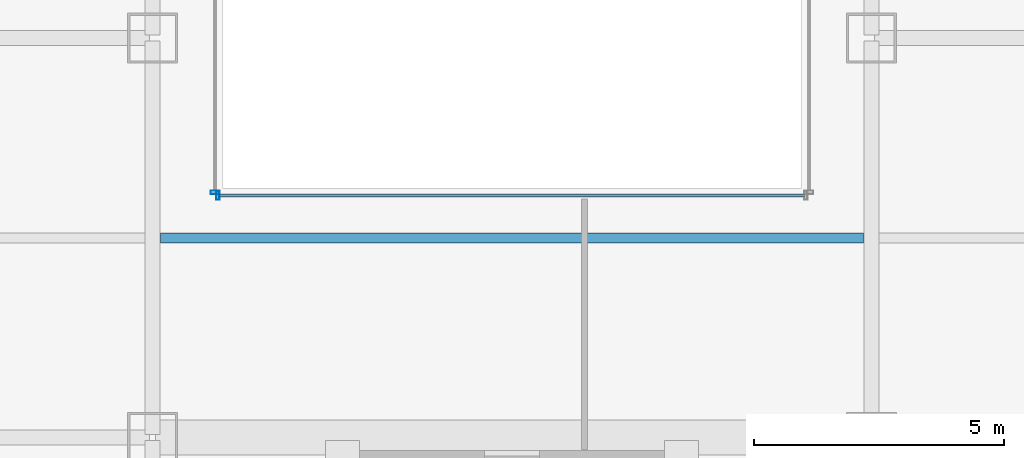
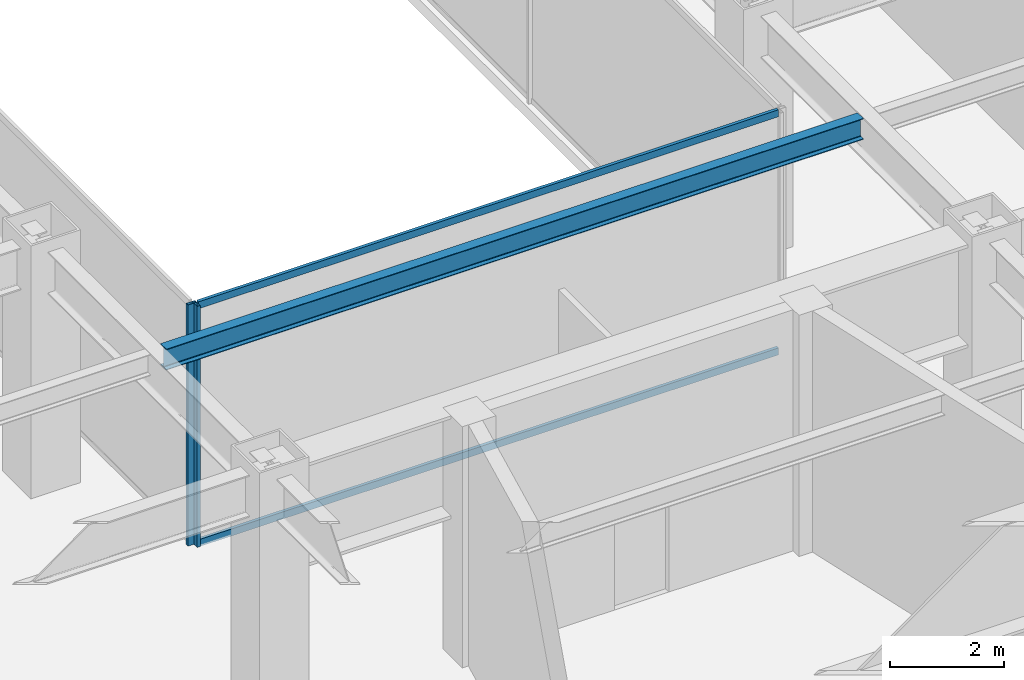
# One storey, part 5 of 29: 4 members, 1 beam, 2 elements without a shape of their own.
"""IFC4 building model written with IfcOpenShell, lengths in metres."""

import ifcopenshell
import ifcopenshell.guid

model = None  # the IFC model being written
_history = None  # IfcOwnerHistory: only IFC2X3 demands one
_inside = {}  # id of a spatial element -> (the spatial element, [elements in it])
_under = {}  # id of a project, library or spatial element -> (it, [spatial elements below it])
_declared = {}  # id of a project -> (the project, [libraries it declares])
_typed = {}  # id of a type object -> (the type object, [elements of that type])
_made_of = {}  # id of a material, layer set ... -> (it, [elements and type objects made of it])


def new_model(schema):
    """Start an empty IFC model of exactly this schema.

    Asked for "IFC4X3", IfcOpenShell would pick the latest addendum, in which some entities
    have other attributes; the version numbers below select the first issue.
    IFC2X3 requires an IfcOwnerHistory on every rooted entity: one is made here for all.
    """
    global model, _history
    if schema == "IFC4X3":
        model = ifcopenshell.file(schema_version=(4, 3, 0, 0))
    else:
        model = ifcopenshell.file(schema=schema)
    _inside.clear()
    _under.clear()
    _declared.clear()
    _typed.clear()
    _made_of.clear()
    _history = None
    if model.schema == "IFC2X3":
        org = make("IfcOrganization", Name="unknown")
        user = make(
            "IfcPersonAndOrganization",
            ThePerson=make("IfcPerson", FamilyName="unknown"),
            TheOrganization=org,
        )
        app = make(
            "IfcApplication",
            ApplicationDeveloper=org,
            Version="unknown",
            ApplicationFullName="unknown",
            ApplicationIdentifier="unknown",
        )
        _history = make(
            "IfcOwnerHistory",
            OwningUser=user,
            OwningApplication=app,
            ChangeAction="ADDED",
            CreationDate=0,
        )
    return model


def make(cls, **values):
    """One entity of the class cls with the attributes given. An attribute that is None is left unset."""
    return model.create_entity(
        cls, **{name: value for name, value in values.items() if value is not None}
    )


def rooted(cls, **values):
    """An entity with a GlobalId (a new one), such as an element, a storey or a relation."""
    return make(cls, GlobalId=ifcopenshell.guid.new(), OwnerHistory=_history, **values)


def si_unit(unit_type, name, prefix=None):
    """IfcSIUnit, for example si_unit("LENGTHUNIT", "METRE", prefix="MILLI")."""
    return make("IfcSIUnit", UnitType=unit_type, Prefix=prefix, Name=name)


def assignment(units):
    """IfcUnitAssignment: the units of a project."""
    return None if units is None else make("IfcUnitAssignment", Units=units)


def point(xyz):
    """IfcCartesianPoint."""
    return None if xyz is None else make("IfcCartesianPoint", Coordinates=xyz)


def direction(xyz):
    """IfcDirection."""
    return None if xyz is None else make("IfcDirection", DirectionRatios=xyz)


def frame(location, z_axis=None, x_axis=None):
    """IfcAxis2Placement3D, a coordinate frame: its origin and axes. An axis left out is left unset."""
    return make(
        "IfcAxis2Placement3D",
        Location=point(location),
        Axis=direction(z_axis),
        RefDirection=direction(x_axis),
    )


def frame_2d(location, x_axis=None):
    """IfcAxis2Placement2D, a coordinate frame in the plane: its origin and x axis."""
    return make(
        "IfcAxis2Placement2D", Location=point(location), RefDirection=direction(x_axis)
    )


def origin():
    """The frame at (0, 0, 0) with its axes left unset."""
    return frame((0.0, 0.0, 0.0))


def origin_2d():
    """The frame at (0, 0) in the plane with its x axis left unset."""
    return frame_2d((0.0, 0.0))


def place(relative_to, where):
    """IfcLocalPlacement: puts the frame where relative to a parent placement (None: the world)."""
    return make(
        "IfcLocalPlacement", PlacementRelTo=relative_to, RelativePlacement=where
    )


def context(
    kind, dimensions, precision=None, world=None, true_north=None, identifier=None
):
    """IfcGeometricRepresentationContext, for example the 3D "Model" context."""
    return make(
        "IfcGeometricRepresentationContext",
        ContextIdentifier=identifier,
        ContextType=kind,
        CoordinateSpaceDimension=dimensions,
        Precision=precision,
        WorldCoordinateSystem=world,
        TrueNorth=true_north,
    )


def subcontext(parent, identifier, kind, view, scale=None):
    """IfcGeometricRepresentationSubContext, for example "Body" below "Model"."""
    return make(
        "IfcGeometricRepresentationSubContext",
        ContextIdentifier=identifier,
        ContextType=kind,
        ParentContext=parent,
        TargetScale=scale,
        TargetView=view,
    )


def project(units=None, contexts=None):
    """IfcProject with its units and contexts."""
    return rooted(
        "IfcProject",
        Name="project",
        RepresentationContexts=contexts,
        UnitsInContext=assignment(units),
    )


def spatial(cls, under=None, at=None, **own):
    """A site, building, storey or space (cls), placed at a placement, below another one or the project."""
    s = rooted(cls, ObjectPlacement=at, **own)
    if under is not None:
        _under.setdefault(under.id(), (under, []))[1].append(s)
    return s


def profile(cls, at=None, kind="AREA", **sizes):
    """A parametric profile (cls). Its sizes go by their IFC names, for example OverallWidth=200.0."""
    return make(cls, ProfileType=kind, Position=at, **sizes)


def hollow_rectangle(**sizes):
    """IfcRectangleHollowProfileDef."""
    return profile("IfcRectangleHollowProfileDef", **sizes)


def i_section(**sizes):
    """IfcIShapeProfileDef."""
    return profile("IfcIShapeProfileDef", **sizes)


def extrude(swept, where, along, depth):
    """IfcExtrudedAreaSolid: the profile swept, set in the frame where, extruded along a direction by depth."""
    return make(
        "IfcExtrudedAreaSolid",
        SweptArea=swept,
        Position=where,
        ExtrudedDirection=direction(along),
        Depth=depth,
    )


def shape(context_of_items, identifier, shape_type, items):
    """IfcShapeRepresentation: the items that make up one representation, for example the "Body"."""
    return make(
        "IfcShapeRepresentation",
        ContextOfItems=context_of_items,
        RepresentationIdentifier=identifier,
        RepresentationType=shape_type,
        Items=items,
    )


def material(Name=None, Category=None):
    """IfcMaterial."""
    return make("IfcMaterial", Name=Name, Category=Category)


def material_profile(
    of_material, cross_section, Name=None, Category=None, Priority=None
):
    """IfcMaterialProfile: a cross section and its material."""
    return make(
        "IfcMaterialProfile",
        Name=Name,
        Material=of_material,
        Profile=cross_section,
        Priority=Priority,
        Category=Category,
    )


def profile_set(profiles, Name=None, composite=None):
    """IfcMaterialProfileSet."""
    return make(
        "IfcMaterialProfileSet",
        Name=Name,
        MaterialProfiles=profiles,
        CompositeProfile=composite,
    )


def made_of(thing, what):
    """Note that an element or type object is made of a material, layer set ...; save() writes the relation."""
    if what is not None:
        _made_of.setdefault(what.id(), (what, []))[1].append(thing)
    return thing


def type_object(cls, material=None, **own):
    """A type object (cls), such as IfcWallType, which elements share."""
    return made_of(rooted(cls, **own), material)


def element(
    cls,
    number,
    at=None,
    inside=None,
    cuts=None,
    type_object=None,
    material=None,
    context=None,
    identifier="Body",
    shape_type=None,
    held_by="IfcProductDefinitionShape",
    body=None,
    shapes=None,
    **own,
):
    """One element of the class cls, such as IfcWall. Its Tag is "e" and its number.

    at: its placement. inside: the storey or other place that contains it. cuts: it is an
    opening in that element (IfcRelVoidsElement). A single representation is given by context,
    identifier, shape_type and body (its items); several are given by shapes. held_by: the class
    of the entity that holds the representations. save() writes the other relations.
    """
    e = rooted(cls, Tag="e%d" % number, ObjectPlacement=at, **own)
    if body is not None:
        shapes = [shape(context, identifier, shape_type, body)]
    if shapes is not None:
        e.Representation = make(held_by, Representations=shapes)
    if inside is not None:
        _inside.setdefault(inside.id(), (inside, []))[1].append(e)
    if cuts is not None:
        rooted(
            "IfcRelVoidsElement", RelatingBuildingElement=cuts, RelatedOpeningElement=e
        )
    if type_object is not None:
        _typed.setdefault(type_object.id(), (type_object, []))[1].append(e)
    return made_of(e, material)


def aggregate(whole, parts):
    """IfcRelAggregates: a whole, such as a stair, and the parts it consists of."""
    return rooted("IfcRelAggregates", RelatingObject=whole, RelatedObjects=parts)


def save(model, path):
    """Write the relations noted so far, then the file.

    IfcRelAggregates (storeys below a building ...), IfcRelContainedInSpatialStructure (elements
    in a storey), IfcRelDefinesByType, IfcRelAssociatesMaterial and IfcRelDeclares: one each for
    every whole, place, type object, material and project.
    """
    for whole, parts in _under.values():
        aggregate(whole, parts)
    for where, things in _inside.values():
        rooted(
            "IfcRelContainedInSpatialStructure",
            RelatedElements=things,
            RelatingStructure=where,
        )
    for kind, things in _typed.values():
        rooted("IfcRelDefinesByType", RelatedObjects=things, RelatingType=kind)
    for what, things in _made_of.values():
        rooted("IfcRelAssociatesMaterial", RelatedObjects=things, RelatingMaterial=what)
    for by, libraries in _declared.values():
        rooted("IfcRelDeclares", RelatingContext=by, RelatedDefinitions=libraries)
    model.write(path)


model = new_model("IFC4")

# Units and contexts
model_context = context("Model", 3, precision=1e-05, world=origin(), true_north=direction((0.0, 1.0)))
body_context = subcontext(model_context, "Body", "Model", "MODEL_VIEW")
ifc_project = project(units=[si_unit("LENGTHUNIT", "METRE"), si_unit("AREAUNIT", "SQUARE_METRE"), si_unit("VOLUMEUNIT", "CUBIC_METRE"), si_unit("PLANEANGLEUNIT", "RADIAN"), si_unit("MASSUNIT", "GRAM", prefix="KILO")], contexts=[model_context])

# Site, building, storey
site_placement = place(None, origin())
site = spatial("IfcSite", under=ifc_project, at=site_placement, CompositionType="ELEMENT")
building_placement = place(site_placement, origin())
building = spatial("IfcBuilding", under=site, at=building_placement, Name="Saevonmaru Cultural Tower", CompositionType="ELEMENT")
storey_placement = place(building_placement, frame((0.0, 0.0, 27.60009765625)))
storey = spatial("IfcBuildingStorey", under=building, at=storey_placement, Name="L05", CompositionType="ELEMENT", Elevation=27.60009765625)

# Beam
ifc_material_1 = material(Name="Steel SM355", Category="steel")
ifc_material_profile_1 = material_profile(ifc_material_1, i_section(OverallWidth=0.199951171875, OverallDepth=0.449951171875, WebThickness=0.009033203125, FlangeThickness=0.013916015625, FilletRadius=0.01806640625, at=origin_2d()), Name="H-450x200x9x14")
ifc_profile_set_1 = profile_set([ifc_material_profile_1], Name="Steel SM355")
beam_type = type_object("IfcBeamType", Name="BM-J-H450", PredefinedType="JOIST", material=ifc_profile_set_1)
beam_placement = place(storey_placement, frame((22.9580078125, 20.0, 4.9248046875), z_axis=(1.0, 0.0, 0.0), x_axis=(0.0, 1.0, 0.0)))
element("IfcBeam", 1, at=beam_placement, inside=storey, type_object=beam_type, Name="L05 Secondary Floor Joist JC-2", PredefinedType="JOIST", context=body_context, shape_type="SweptSolid", body=[
    extrude(i_section(OverallWidth=0.199951171875, OverallDepth=0.449951171875, WebThickness=0.009033203125, FlangeThickness=0.013916015625, FilletRadius=0.01806640625, at=origin_2d()), origin(), (0.0, 0.0, 1.0), 14.083984375),
])

# Curtain wall, member
ifc_material_2 = material(Name="Satin Bronze Anodised Aluminium", Category="aluminium")
curtain_wall_type = type_object("IfcCurtainWallType", Name="CW-ATR-GLZ", PredefinedType="NOTDEFINED", material=ifc_material_2)
curtain_wall_1_placement = place(storey_placement, origin())
curtain_wall_1 = element("IfcCurtainWall", 2, at=curtain_wall_1_placement, inside=storey, type_object=curtain_wall_type, Name="L05 Vertical Atrium Glazed Smoke Screen 1", PredefinedType="NOTDEFINED")
ifc_material_profile_2 = material_profile(ifc_material_2, hollow_rectangle(XDim=0.06494140625, YDim=0.179931640625, WallThickness=0.00390625, at=origin_2d()), Name="ALU-MULL-180x65x4")
ifc_profile_set_2 = profile_set([ifc_material_profile_2], Name="Satin Bronze Anodised Aluminium")
member_type_1 = type_object("IfcMemberType", Name="ML-CW-INT-180x65", PredefinedType="MULLION", material=ifc_profile_set_2)
member_1_placement = place(storey_placement, frame((24.110107421875, 20.85009765625, 0.0), z_axis=(0.0, 0.0, 1.0), x_axis=(1.0, 0.0, 0.0)))
member_1 = element("IfcMember", 3, at=member_1_placement, type_object=member_type_1, Name="CW-ATR-L05-1 mullion 1", PredefinedType="MULLION", context=body_context, shape_type="SweptSolid", body=[
    extrude(hollow_rectangle(XDim=0.06494140625, YDim=0.179931640625, WallThickness=0.00390625, at=origin_2d()), origin(), (0.0, 0.0, 1.0), 5.14990234375),
])

curtain_wall_2_placement = place(storey_placement, origin())
curtain_wall_2 = element("IfcCurtainWall", 4, at=curtain_wall_2_placement, inside=storey, type_object=curtain_wall_type, Name="L05 Vertical Atrium Glazed Smoke Screen 4", PredefinedType="NOTDEFINED")
member_2_placement = place(storey_placement, frame((24.050048828125, 20.909912109375, 0.0), z_axis=(0.0, 0.0, 1.0), x_axis=(0.0, -1.0, 0.0)))
member_2 = element("IfcMember", 5, at=member_2_placement, type_object=member_type_1, Name="CW-ATR-L05-4 mullion 3", PredefinedType="MULLION", context=body_context, shape_type="SweptSolid", body=[
    extrude(hollow_rectangle(XDim=0.06494140625, YDim=0.179931640625, WallThickness=0.00390625, at=origin_2d()), origin(), (0.0, 0.0, 1.0), 5.14990234375),
])
aggregate(curtain_wall_2, [member_2])

# Member
ifc_material_profile_3 = material_profile(ifc_material_2, hollow_rectangle(XDim=0.06494140625, YDim=0.14990234375, WallThickness=0.00390625, at=origin_2d()), Name="ALU-TRAN-150x65x4")
ifc_profile_set_3 = profile_set([ifc_material_profile_3], Name="Satin Bronze Anodised Aluminium")
member_type_2 = type_object("IfcMemberType", Name="TR-CW-INT-150x65", PredefinedType="USERDEFINED", material=ifc_profile_set_3)
member_3_placement = place(storey_placement, frame((24.142578125, 20.85009765625, 0.032470703125), z_axis=(1.0, 0.0, 0.0), x_axis=(0.0, 1.0, 0.0)))
member_3 = element("IfcMember", 6, at=member_3_placement, type_object=member_type_2, Name="CW-ATR-L05-1 transom 1.1", ObjectType="TRANSOM", PredefinedType="USERDEFINED", context=body_context, shape_type="SweptSolid", body=[
    extrude(hollow_rectangle(XDim=0.06494140625, YDim=0.14990234375, WallThickness=0.00390625, at=origin_2d()), origin(), (0.0, 0.0, 1.0), 11.71484375),
])

member_4_placement = place(storey_placement, frame((24.142578125, 20.85009765625, 5.117431640625), z_axis=(1.0, 0.0, 0.0), x_axis=(0.0, 1.0, 0.0)))
member_4 = element("IfcMember", 7, at=member_4_placement, type_object=member_type_2, Name="CW-ATR-L05-1 transom 1.2", ObjectType="TRANSOM", PredefinedType="USERDEFINED", context=body_context, shape_type="SweptSolid", body=[
    extrude(hollow_rectangle(XDim=0.06494140625, YDim=0.14990234375, WallThickness=0.00390625, at=origin_2d()), origin(), (0.0, 0.0, 1.0), 11.71484375),
])

aggregate(curtain_wall_1, [member_1, member_3, member_4])

save(model, "model.ifc")
